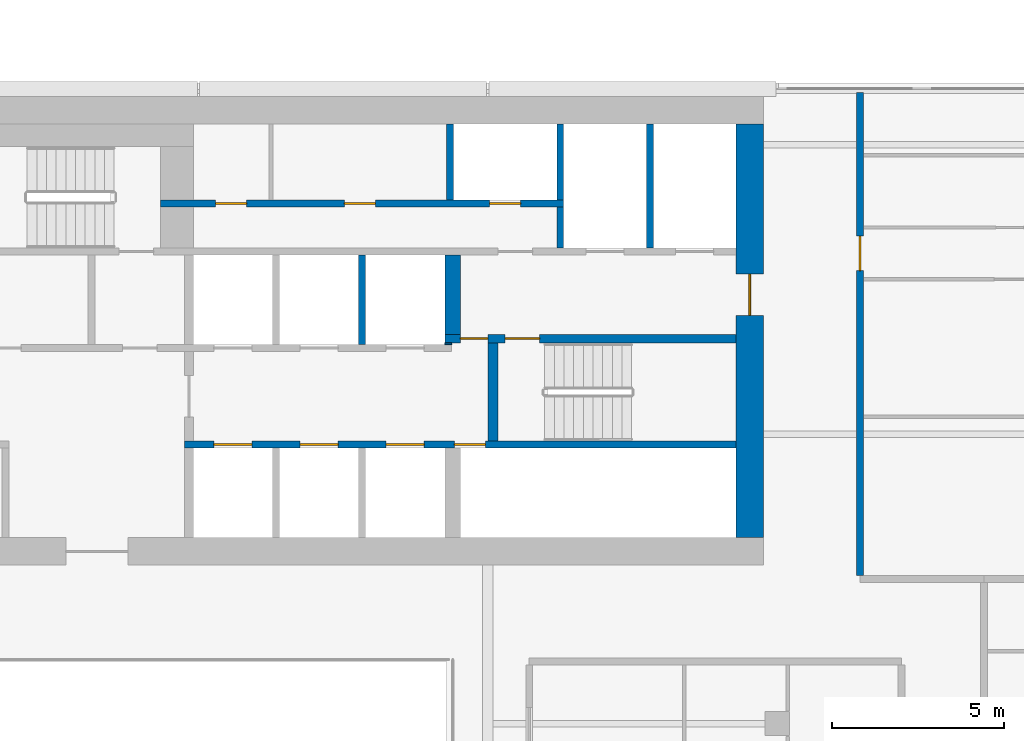
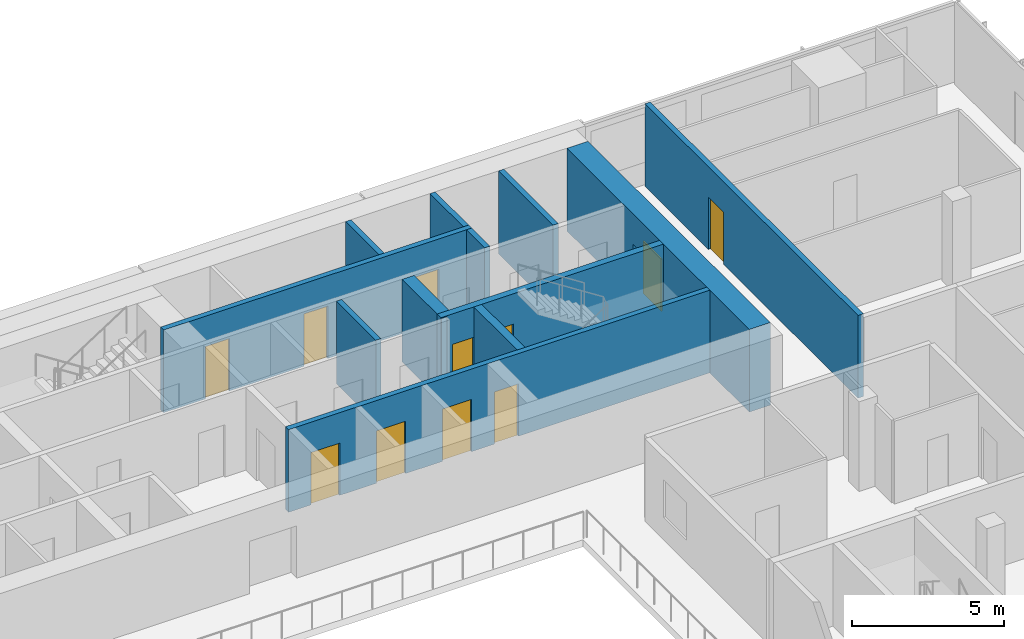
# One storey, part 22 of 30: 13 walls, 11 doors, 11 openings.
"""IFC4 building model written with IfcOpenShell, lengths in metres."""

from ifc_helpers import new_model, si_unit, direction, frame, frame_2d, origin, place, context, subcontext, project, spatial, rectangle, extrude, material, layer, layer_set, type_object, element, fill, save


model = new_model("IFC4")

# Units and contexts
model_context = context("Model", 3, precision=1e-05, world=origin(), true_north=direction((0.0, 1.0)))
body_context = subcontext(model_context, "Body", "Model", "MODEL_VIEW")
ifc_project = project(units=[si_unit("LENGTHUNIT", "METRE"), si_unit("AREAUNIT", "SQUARE_METRE"), si_unit("VOLUMEUNIT", "CUBIC_METRE"), si_unit("PLANEANGLEUNIT", "RADIAN"), si_unit("MASSUNIT", "GRAM", prefix="KILO")], contexts=[model_context])

# Site, building, storey
site_placement = place(None, origin())
site = spatial("IfcSite", under=ifc_project, at=site_placement, CompositionType="ELEMENT")
building_placement = place(site_placement, origin())
building = spatial("IfcBuilding", under=site, at=building_placement, Name="Saffron Gate Tower", CompositionType="ELEMENT")
storey_placement = place(building_placement, frame((0.0, 0.0, 158.25)))
storey = spatial("IfcBuildingStorey", under=building, at=storey_placement, Name="L38", CompositionType="ELEMENT", Elevation=158.25)

# Wall, opening, door
ifc_material_1 = material(Name="Concrete C60", Category="concrete")
ifc_layer_1 = layer(ifc_material_1, 0.800048828125)
ifc_layer_set_1 = layer_set([ifc_layer_1], Name="CW13 RC core wall 800 C60")
wall_type_1 = type_object("IfcWallType", Name="CW13 RC core wall 800 C60", PredefinedType="SOLIDWALL", material=ifc_layer_set_1)
wall_1_placement = place(storey_placement, frame((107.800048828125, 62.39990234375, 0.0), z_axis=(0.0, 0.0, 1.0), x_axis=(0.0, 1.0, 0.0)))
wall_1 = element("IfcWall", 1, at=wall_1_placement, inside=storey, type_object=wall_type_1, Name="Wall CW13-L38-4", PredefinedType="SOLIDWALL", context=body_context, shape_type="SweptSolid", body=[
    extrude(rectangle(XDim=12.0, YDim=0.800048828125, at=frame_2d((6.0, 0.0))), origin(), (0.0, 0.0, 1.0), 3.320068359375),
])
opening_1_placement = place(wall_1_placement, frame((6.449951171875, 0.0, 0.0)))
opening_1 = element("IfcOpeningElement", 2, at=opening_1_placement, cuts=wall_1, Name="Opening CR-08", PredefinedType="OPENING", context=body_context, shape_type="SweptSolid", body=[
    extrude(rectangle(XDim=1.199951171875, YDim=2.10009765625, at=frame_2d((0.60009765625, 1.050048828125))), frame((0.0, 0.41015625, 0.0), z_axis=(0.0, -1.0, 0.0), x_axis=(1.0, 0.0, 0.0)), (0.0, 0.0, 1.0), 0.820068359375),
])
ifc_material_2 = material(Name="Steel fire door set", Category="steel")
door_type_1 = type_object("IfcDoorType", Name="CD7 Core entrance door 1200x2100 EI 120", OperationType="NOTDEFINED", PredefinedType="DOOR", material=ifc_material_2)
door_1_placement = place(opening_1_placement, origin())
door_1 = element("IfcDoor", 3, at=door_1_placement, inside=storey, type_object=door_type_1, Name="DOOR CR-08", OperationType="SINGLE_SWING_RIGHT", OverallHeight=2.10009765625, OverallWidth=1.199951171875, PredefinedType="DOOR", context=body_context, shape_type="SweptSolid", body=[
    extrude(rectangle(XDim=1.199951171875, YDim=2.10009765625, at=frame_2d((0.60009765625, 1.050048828125))), frame((0.0, 0.02490234375, 0.0), z_axis=(0.0, -1.0, 0.0), x_axis=(1.0, 0.0, 0.0)), (0.0, 0.0, 1.0), 0.050048828125),
])
fill(opening_1, door_1)

# Wall, openings, doors
ifc_layer_2 = layer(ifc_material_1, 0.25)
ifc_layer_set_2 = layer_set([ifc_layer_2], Name="CW14 RC core wall 250 C60")
wall_type_2 = type_object("IfcWallType", Name="CW14 RC core wall 250 C60", PredefinedType="SOLIDWALL", material=ifc_layer_set_2)
wall_2_placement = place(storey_placement, frame((98.949951171875, 68.175048828125, 0.0), z_axis=(0.0, 0.0, 1.0), x_axis=(1.0, 0.0, 0.0)))
wall_2 = element("IfcWall", 4, at=wall_2_placement, inside=storey, type_object=wall_type_2, Name="Wall CW14-L38-27", PredefinedType="SOLIDWALL", context=body_context, shape_type="SweptSolid", body=[
    extrude(rectangle(XDim=8.449951171875, YDim=0.25, at=frame_2d((4.22509765625, 0.0))), origin(), (0.0, 0.0, 1.0), 3.320068359375),
])
opening_2_placement = place(wall_2_placement, frame((0.449951171875, 0.0, 0.0)))
opening_2 = element("IfcOpeningElement", 5, at=opening_2_placement, cuts=wall_2, Name="Opening CR-05", PredefinedType="OPENING", context=body_context, shape_type="SweptSolid", body=[
    extrude(rectangle(XDim=0.800048828125, YDim=2.10009765625, at=frame_2d((0.39990234375, 1.050048828125))), frame((0.0, 0.135009765625, 0.0), z_axis=(0.0, -1.0, 0.0), x_axis=(1.0, 0.0, 0.0)), (0.0, 0.0, 1.0), 0.27001953125),
])
opening_3_placement = place(wall_2_placement, frame((1.75, 0.0, 0.0)))
opening_3 = element("IfcOpeningElement", 6, at=opening_3_placement, cuts=wall_2, Name="Opening CR-16", PredefinedType="OPENING", context=body_context, shape_type="SweptSolid", body=[
    extrude(rectangle(XDim=1.0, YDim=2.10009765625, at=frame_2d((0.5, 1.050048828125))), frame((0.0, 0.135009765625, 0.0), z_axis=(0.0, -1.0, 0.0), x_axis=(1.0, 0.0, 0.0)), (0.0, 0.0, 1.0), 0.27001953125),
])
door_type_2 = type_object("IfcDoorType", Name="CD5 Stair door 1000x2100 EI 120", OperationType="NOTDEFINED", PredefinedType="DOOR", material=ifc_material_2)
door_2_placement = place(opening_3_placement, origin())
door_2 = element("IfcDoor", 7, at=door_2_placement, inside=storey, type_object=door_type_2, Name="DOOR CR-16", OperationType="SINGLE_SWING_RIGHT", OverallHeight=2.10009765625, OverallWidth=1.0, PredefinedType="DOOR", context=body_context, shape_type="SweptSolid", body=[
    extrude(rectangle(XDim=1.0, YDim=2.10009765625, at=frame_2d((0.5, 1.050048828125))), frame((0.0, 0.02490234375, 0.0), z_axis=(0.0, -1.0, 0.0), x_axis=(1.0, 0.0, 0.0)), (0.0, 0.0, 1.0), 0.050048828125),
])
fill(opening_3, door_2)
door_type_3 = type_object("IfcDoorType", Name="CD6 Lobby door 800x2100 EI 120", OperationType="NOTDEFINED", PredefinedType="DOOR", material=ifc_material_2)
door_3_placement = place(opening_2_placement, origin())
door_3 = element("IfcDoor", 8, at=door_3_placement, inside=storey, type_object=door_type_3, Name="DOOR CR-05", OperationType="SINGLE_SWING_LEFT", OverallHeight=2.10009765625, OverallWidth=0.800048828125, PredefinedType="DOOR", context=body_context, shape_type="SweptSolid", body=[
    extrude(rectangle(XDim=0.800048828125, YDim=2.10009765625, at=frame_2d((0.39990234375, 1.050048828125))), frame((0.0, 0.02490234375, 0.0), z_axis=(0.0, -1.0, 0.0), x_axis=(1.0, 0.0, 0.0)), (0.0, 0.0, 1.0), 0.050048828125),
])
fill(opening_2, door_3)

ifc_layer_3 = layer(ifc_material_1, 0.199951171875)
ifc_layer_set_3 = layer_set([ifc_layer_3], Name="CW15 RC core wall 200 C60")
wall_type_3 = type_object("IfcWallType", Name="CW15 RC core wall 200 C60", PredefinedType="SOLIDWALL", material=ifc_layer_set_3)
wall_3_placement = place(storey_placement, frame((91.39990234375, 65.10009765625, 0.0), z_axis=(0.0, 0.0, 1.0), x_axis=(1.0, 0.0, 0.0)))
wall_3 = element("IfcWall", 9, at=wall_3_placement, inside=storey, type_object=wall_type_3, Name="Wall CW15-L38-14", PredefinedType="SOLIDWALL", context=body_context, shape_type="SweptSolid", body=[
    extrude(rectangle(XDim=16.0, YDim=0.199951171875, at=frame_2d((8.0, 0.0))), origin(), (0.0, 0.0, 1.0), 3.320068359375),
])
opening_4_placement = place(wall_3_placement, frame((0.85009765625, 0.0, 0.0)))
opening_4 = element("IfcOpeningElement", 10, at=opening_4_placement, cuts=wall_3, Name="Opening LD-HR1", PredefinedType="OPENING", context=body_context, shape_type="SweptSolid", body=[
    extrude(rectangle(XDim=1.10009765625, YDim=2.10009765625, at=frame_2d((0.550048828125, 1.050048828125))), frame((0.0, 0.10986328125, 0.0), z_axis=(0.0, -1.0, 0.0), x_axis=(1.0, 0.0, 0.0)), (0.0, 0.0, 1.0), 0.219970703125),
])
opening_5_placement = place(wall_3_placement, frame((3.35009765625, 0.0, 0.0)))
opening_5 = element("IfcOpeningElement", 11, at=opening_5_placement, cuts=wall_3, Name="Opening LD-HR2", PredefinedType="OPENING", context=body_context, shape_type="SweptSolid", body=[
    extrude(rectangle(XDim=1.10009765625, YDim=2.10009765625, at=frame_2d((0.550048828125, 1.050048828125))), frame((0.0, 0.10986328125, 0.0), z_axis=(0.0, -1.0, 0.0), x_axis=(1.0, 0.0, 0.0)), (0.0, 0.0, 1.0), 0.219970703125),
])
opening_6_placement = place(wall_3_placement, frame((5.85009765625, 0.0, 0.0)))
opening_6 = element("IfcOpeningElement", 12, at=opening_6_placement, cuts=wall_3, Name="Opening LD-HR3", PredefinedType="OPENING", context=body_context, shape_type="SweptSolid", body=[
    extrude(rectangle(XDim=1.10009765625, YDim=2.10009765625, at=frame_2d((0.550048828125, 1.050048828125))), frame((0.0, 0.10986328125, 0.0), z_axis=(0.0, -1.0, 0.0), x_axis=(1.0, 0.0, 0.0)), (0.0, 0.0, 1.0), 0.219970703125),
])
opening_7_placement = place(wall_3_placement, frame((7.830078125, 0.0, 0.0)))
opening_7 = element("IfcOpeningElement", 13, at=opening_7_placement, cuts=wall_3, Name="Opening CR-48", PredefinedType="OPENING", context=body_context, shape_type="SweptSolid", body=[
    extrude(rectangle(XDim=0.89990234375, YDim=2.10009765625, at=frame_2d((0.449951171875, 1.050048828125))), frame((0.0, 0.10986328125, 0.0), z_axis=(0.0, -1.0, 0.0), x_axis=(1.0, 0.0, 0.0)), (0.0, 0.0, 1.0), 0.219970703125),
])
door_type_4 = type_object("IfcDoorType", Name="CD2 Riser door 900x2100 EI 60", OperationType="NOTDEFINED", PredefinedType="DOOR", material=ifc_material_2)
door_4_placement = place(opening_7_placement, origin())
door_4 = element("IfcDoor", 14, at=door_4_placement, inside=storey, type_object=door_type_4, Name="DOOR CR-48", OperationType="SINGLE_SWING_RIGHT", OverallHeight=2.10009765625, OverallWidth=0.89990234375, PredefinedType="DOOR", context=body_context, shape_type="SweptSolid", body=[
    extrude(rectangle(XDim=0.89990234375, YDim=2.10009765625, at=frame_2d((0.449951171875, 1.050048828125))), frame((0.0, 0.02490234375, 0.0), z_axis=(0.0, -1.0, 0.0), x_axis=(1.0, 0.0, 0.0)), (0.0, 0.0, 1.0), 0.050048828125),
])
fill(opening_7, door_4)
ifc_material_3 = material(Name="Stainless steel landing door", Category="steel")
door_type_5 = type_object("IfcDoorType", Name="LD Lift landing door 1100x2100 EI 120", OperationType="SLIDING_TO_LEFT", PredefinedType="DOOR", material=ifc_material_3)
door_5_placement = place(opening_4_placement, origin())
door_5 = element("IfcDoor", 15, at=door_5_placement, inside=storey, type_object=door_type_5, Name="LANDING DOOR LD-HR1", OperationType="SLIDING_TO_LEFT", OverallHeight=2.10009765625, OverallWidth=1.10009765625, PredefinedType="DOOR", context=body_context, shape_type="SweptSolid", body=[
    extrude(rectangle(XDim=1.10009765625, YDim=2.10009765625, at=frame_2d((0.550048828125, 1.050048828125))), frame((0.0, 0.02490234375, 0.0), z_axis=(0.0, -1.0, 0.0), x_axis=(1.0, 0.0, 0.0)), (0.0, 0.0, 1.0), 0.050048828125),
])
fill(opening_4, door_5)
door_6_placement = place(opening_5_placement, origin())
door_6 = element("IfcDoor", 16, at=door_6_placement, inside=storey, type_object=door_type_5, Name="LANDING DOOR LD-HR2", OperationType="SLIDING_TO_LEFT", OverallHeight=2.10009765625, OverallWidth=1.10009765625, PredefinedType="DOOR", context=body_context, shape_type="SweptSolid", body=[
    extrude(rectangle(XDim=1.10009765625, YDim=2.10009765625, at=frame_2d((0.550048828125, 1.050048828125))), frame((0.0, 0.02490234375, 0.0), z_axis=(0.0, -1.0, 0.0), x_axis=(1.0, 0.0, 0.0)), (0.0, 0.0, 1.0), 0.050048828125),
])
fill(opening_5, door_6)
door_7_placement = place(opening_6_placement, origin())
door_7 = element("IfcDoor", 17, at=door_7_placement, inside=storey, type_object=door_type_5, Name="LANDING DOOR LD-HR3", OperationType="SLIDING_TO_LEFT", OverallHeight=2.10009765625, OverallWidth=1.10009765625, PredefinedType="DOOR", context=body_context, shape_type="SweptSolid", body=[
    extrude(rectangle(XDim=1.10009765625, YDim=2.10009765625, at=frame_2d((0.550048828125, 1.050048828125))), frame((0.0, 0.02490234375, 0.0), z_axis=(0.0, -1.0, 0.0), x_axis=(1.0, 0.0, 0.0)), (0.0, 0.0, 1.0), 0.050048828125),
])
fill(opening_6, door_7)

# Walls
wall_4_placement = place(storey_placement, frame((96.550048828125, 68.0, 0.0), z_axis=(0.0, 0.0, 1.0), x_axis=(0.0, 1.0, 0.0)))
element("IfcWall", 18, at=wall_4_placement, inside=storey, type_object=wall_type_3, Name="Wall CW15-L38-24", PredefinedType="SOLIDWALL", context=body_context, shape_type="SweptSolid", body=[
    extrude(rectangle(XDim=2.60009765625, YDim=0.199951171875, at=frame_2d((1.300048828125, 0.0))), origin(), (0.0, 0.0, 1.0), 3.320068359375),
])
wall_5_placement = place(storey_placement, frame((102.300048828125, 70.800048828125, 0.0), z_axis=(0.0, 0.0, 1.0), x_axis=(0.0, 1.0, 0.0)))
element("IfcWall", 19, at=wall_5_placement, inside=storey, type_object=wall_type_3, Name="Wall CW15-L38-35", PredefinedType="SOLIDWALL", context=body_context, shape_type="SweptSolid", body=[
    extrude(rectangle(XDim=1.199951171875, YDim=0.199951171875, at=frame_2d((0.60009765625, 0.0))), origin(), (0.0, 0.0, 1.0), 3.320068359375),
])
wall_6_placement = place(storey_placement, frame((104.89990234375, 70.800048828125, 0.0), z_axis=(0.0, 0.0, 1.0), x_axis=(0.0, 1.0, 0.0)))
element("IfcWall", 20, at=wall_6_placement, inside=storey, type_object=wall_type_3, Name="Wall CW15-L38-36", PredefinedType="SOLIDWALL", context=body_context, shape_type="SweptSolid", body=[
    extrude(rectangle(XDim=3.599853515625, YDim=0.199951171875, at=frame_2d((1.7998046875, 0.0))), origin(), (0.0, 0.0, 1.0), 3.320068359375),
])

# Wall, openings, doors
wall_7_placement = place(storey_placement, frame((90.699951171875, 72.10009765625, 0.0), z_axis=(0.0, 0.0, 1.0), x_axis=(1.0, 0.0, 0.0)))
wall_7 = element("IfcWall", 21, at=wall_7_placement, inside=storey, type_object=wall_type_3, Name="Wall CW15-L38-38", PredefinedType="SOLIDWALL", context=body_context, shape_type="SweptSolid", body=[
    extrude(rectangle(XDim=11.699951171875, YDim=0.199951171875, at=frame_2d((5.85009765625, 0.0))), origin(), (0.0, 0.0, 1.0), 3.320068359375),
])
opening_8_placement = place(wall_7_placement, frame((1.60009765625, 0.0, 0.0)))
opening_8 = element("IfcOpeningElement", 22, at=opening_8_placement, cuts=wall_7, Name="Opening CR-50", PredefinedType="OPENING", context=body_context, shape_type="SweptSolid", body=[
    extrude(rectangle(XDim=0.89990234375, YDim=2.10009765625, at=frame_2d((0.449951171875, 1.050048828125))), frame((0.0, 0.10986328125, 0.0), z_axis=(0.0, -1.0, 0.0), x_axis=(1.0, 0.0, 0.0)), (0.0, 0.0, 1.0), 0.219970703125),
])
opening_9_placement = place(wall_7_placement, frame((5.3349609375, 0.0, 0.0)))
opening_9 = element("IfcOpeningElement", 23, at=opening_9_placement, cuts=wall_7, Name="Opening CR-53", PredefinedType="OPENING", context=body_context, shape_type="SweptSolid", body=[
    extrude(rectangle(XDim=0.89990234375, YDim=2.10009765625, at=frame_2d((0.449951171875, 1.050048828125))), frame((0.0, 0.10986328125, 0.0), z_axis=(0.0, -1.0, 0.0), x_axis=(1.0, 0.0, 0.0)), (0.0, 0.0, 1.0), 0.219970703125),
])
opening_10_placement = place(wall_7_placement, frame((9.550048828125, 0.0, 0.0)))
opening_10 = element("IfcOpeningElement", 24, at=opening_10_placement, cuts=wall_7, Name="Opening CR-70", PredefinedType="OPENING", context=body_context, shape_type="SweptSolid", body=[
    extrude(rectangle(XDim=0.89990234375, YDim=2.10009765625, at=frame_2d((0.449951171875, 1.050048828125))), frame((0.0, 0.10986328125, 0.0), z_axis=(0.0, -1.0, 0.0), x_axis=(1.0, 0.0, 0.0)), (0.0, 0.0, 1.0), 0.219970703125),
])
door_8_placement = place(opening_10_placement, origin())
door_8 = element("IfcDoor", 25, at=door_8_placement, inside=storey, type_object=door_type_4, Name="DOOR CR-70", OperationType="SINGLE_SWING_LEFT", OverallHeight=2.10009765625, OverallWidth=0.89990234375, PredefinedType="DOOR", context=body_context, shape_type="SweptSolid", body=[
    extrude(rectangle(XDim=0.89990234375, YDim=2.10009765625, at=frame_2d((0.449951171875, 1.050048828125))), frame((0.0, 0.02490234375, 0.0), z_axis=(0.0, -1.0, 0.0), x_axis=(1.0, 0.0, 0.0)), (0.0, 0.0, 1.0), 0.050048828125),
])
fill(opening_10, door_8)
door_type_6 = type_object("IfcDoorType", Name="CD9 Room door 900x2100 EI 60", OperationType="NOTDEFINED", PredefinedType="DOOR", material=ifc_material_2)
door_9_placement = place(opening_8_placement, origin())
door_9 = element("IfcDoor", 26, at=door_9_placement, inside=storey, type_object=door_type_6, Name="DOOR CR-50", OperationType="SINGLE_SWING_LEFT", OverallHeight=2.10009765625, OverallWidth=0.89990234375, PredefinedType="DOOR", context=body_context, shape_type="SweptSolid", body=[
    extrude(rectangle(XDim=0.89990234375, YDim=2.10009765625, at=frame_2d((0.449951171875, 1.050048828125))), frame((0.0, 0.02490234375, 0.0), z_axis=(0.0, -1.0, 0.0), x_axis=(1.0, 0.0, 0.0)), (0.0, 0.0, 1.0), 0.050048828125),
])
fill(opening_8, door_9)
door_10_placement = place(opening_9_placement, origin())
door_10 = element("IfcDoor", 27, at=door_10_placement, inside=storey, type_object=door_type_6, Name="DOOR CR-53", OperationType="SINGLE_SWING_LEFT", OverallHeight=2.10009765625, OverallWidth=0.89990234375, PredefinedType="DOOR", context=body_context, shape_type="SweptSolid", body=[
    extrude(rectangle(XDim=0.89990234375, YDim=2.10009765625, at=frame_2d((0.449951171875, 1.050048828125))), frame((0.0, 0.02490234375, 0.0), z_axis=(0.0, -1.0, 0.0), x_axis=(1.0, 0.0, 0.0)), (0.0, 0.0, 1.0), 0.050048828125),
])
fill(opening_9, door_10)

# Walls
for number, where, z_axis, x_axis, name in (
    (28, (99.10009765625, 72.199951171875, 0.0), (0.0, 0.0, 1.0), (0.0, 1.0, 0.0), "Wall CW15-L38-46"),
    (29, (102.300048828125, 72.199951171875, 0.0), (0.0, 0.0, 1.0), (0.0, 1.0, 0.0), "Wall CW15-L38-47"),
):
    element("IfcWall", number, at=place(storey_placement, frame(where, z_axis=z_axis, x_axis=x_axis)), inside=storey, type_object=wall_type_3, Name=name, PredefinedType="SOLIDWALL", context=body_context, shape_type="SweptSolid", body=[
        extrude(rectangle(XDim=2.199951171875, YDim=0.199951171875, at=frame_2d((1.10009765625, 0.0))), origin(), (0.0, 0.0, 1.0), 3.320068359375),
    ])
ifc_layer_4 = layer(ifc_material_1, 0.449951171875)
ifc_layer_set_4 = layer_set([ifc_layer_4], Name="CW16 RC core wall 450 C60")
wall_type_4 = type_object("IfcWallType", Name="CW16 RC core wall 450 C60", PredefinedType="SOLIDWALL", material=ifc_layer_set_4)
wall_8_placement = place(storey_placement, frame((99.175048828125, 68.300048828125, 0.0), z_axis=(0.0, 0.0, 1.0), x_axis=(0.0, 1.0, 0.0)))
element("IfcWall", 30, at=wall_8_placement, inside=storey, type_object=wall_type_4, Name="Wall CW16-L38-29", PredefinedType="SOLIDWALL", context=body_context, shape_type="SweptSolid", body=[
    extrude(rectangle(XDim=2.300048828125, YDim=0.449951171875, at=frame_2d((1.14990234375, 0.0))), origin(), (0.0, 0.0, 1.0), 3.320068359375),
])
ifc_layer_5 = layer(ifc_material_1, 0.300048828125)
ifc_layer_set_5 = layer_set([ifc_layer_5], Name="CW17 RC core wall 300 C60")
wall_type_5 = type_object("IfcWallType", Name="CW17 RC core wall 300 C60", PredefinedType="SOLIDWALL", material=ifc_layer_set_5)
wall_9_placement = place(storey_placement, frame((100.35009765625, 65.199951171875, 0.0), z_axis=(0.0, 0.0, 1.0), x_axis=(0.0, 1.0, 0.0)))
element("IfcWall", 31, at=wall_9_placement, inside=storey, type_object=wall_type_5, Name="Wall CW17-L38-18", PredefinedType="SOLIDWALL", context=body_context, shape_type="SweptSolid", body=[
    extrude(rectangle(XDim=2.85009765625, YDim=0.300048828125, at=frame_2d((1.425048828125, 0.0))), origin(), (0.0, 0.0, 1.0), 3.320068359375),
])
ifc_layer_6 = layer(ifc_material_1, 0.050048828125)
ifc_layer_set_6 = layer_set([ifc_layer_6], Name="CW18 RC core wall 50 C60")
wall_type_6 = type_object("IfcWallType", Name="CW18 RC core wall 50 C60", PredefinedType="SOLIDWALL", material=ifc_layer_set_6)
wall_10_placement = place(storey_placement, frame((98.949951171875, 68.02490234375, 0.0), z_axis=(0.0, 0.0, 1.0), x_axis=(1.0, 0.0, 0.0)))
element("IfcWall", 32, at=wall_10_placement, inside=storey, type_object=wall_type_6, Name="Wall CW18-L38-25", PredefinedType="SOLIDWALL", context=body_context, shape_type="SweptSolid", body=[
    extrude(rectangle(XDim=0.199951171875, YDim=0.050048828125, at=frame_2d((0.10009765625, 0.0))), origin(), (0.0, 0.0, 1.0), 3.320068359375),
])

# Wall, opening, door
ifc_material_4 = material(Name="Clay brick masonry, rendered", Category="masonry")
ifc_layer_7 = layer(ifc_material_4, 0.199951171875)
ifc_layer_set_7 = layer_set([ifc_layer_7], Name="PW3 Corridor wall 200")
wall_type_7 = type_object("IfcWallType", Name="PW3 Corridor wall 200", PredefinedType="PARTITIONING", material=ifc_layer_set_7)
wall_11_placement = place(storey_placement, frame((111.0, 75.320068359375, 0.0), z_axis=(0.0, 0.0, 1.0), x_axis=(0.0, -1.0, 0.0)))
wall_11 = element("IfcWall", 33, at=wall_11_placement, inside=storey, type_object=wall_type_7, Name="Wall C2-104", PredefinedType="PARTITIONING", context=body_context, shape_type="SweptSolid", body=[
    extrude(rectangle(XDim=14.02001953125, YDim=0.199951171875, at=frame_2d((7.010009765625, 0.0))), origin(), (0.0, 0.0, 1.0), 3.320068359375),
])
opening_11_placement = place(wall_11_placement, frame((4.169921875, 0.0, 0.0)))
opening_11 = element("IfcOpeningElement", 34, at=opening_11_placement, cuts=wall_11, Name="Opening C2-7", PredefinedType="OPENING", context=body_context, shape_type="SweptSolid", body=[
    extrude(rectangle(XDim=1.0, YDim=2.10009765625, at=frame_2d((0.5, 1.050048828125))), frame((0.0, 0.10986328125, 0.0), z_axis=(0.0, -1.0, 0.0), x_axis=(1.0, 0.0, 0.0)), (0.0, 0.0, 1.0), 0.219970703125),
])
ifc_material_5 = material(Name="Timber fire door set", Category="wood")
door_type_7 = type_object("IfcDoorType", Name="FD1 Flat entry door 1000x2100", OperationType="NOTDEFINED", PredefinedType="DOOR", material=ifc_material_5)
door_11_placement = place(opening_11_placement, origin())
door_11 = element("IfcDoor", 35, at=door_11_placement, inside=storey, type_object=door_type_7, Name="Door C2-7", OperationType="SINGLE_SWING_RIGHT", OverallHeight=2.10009765625, OverallWidth=1.0, PredefinedType="DOOR", context=body_context, shape_type="SweptSolid", body=[
    extrude(rectangle(XDim=1.0, YDim=2.10009765625, at=frame_2d((0.5, 1.050048828125))), frame((0.0, 0.02490234375, 0.0), z_axis=(0.0, -1.0, 0.0), x_axis=(1.0, 0.0, 0.0)), (0.0, 0.0, 1.0), 0.050048828125),
])
fill(opening_11, door_11)

save(model, "model.ifc")
